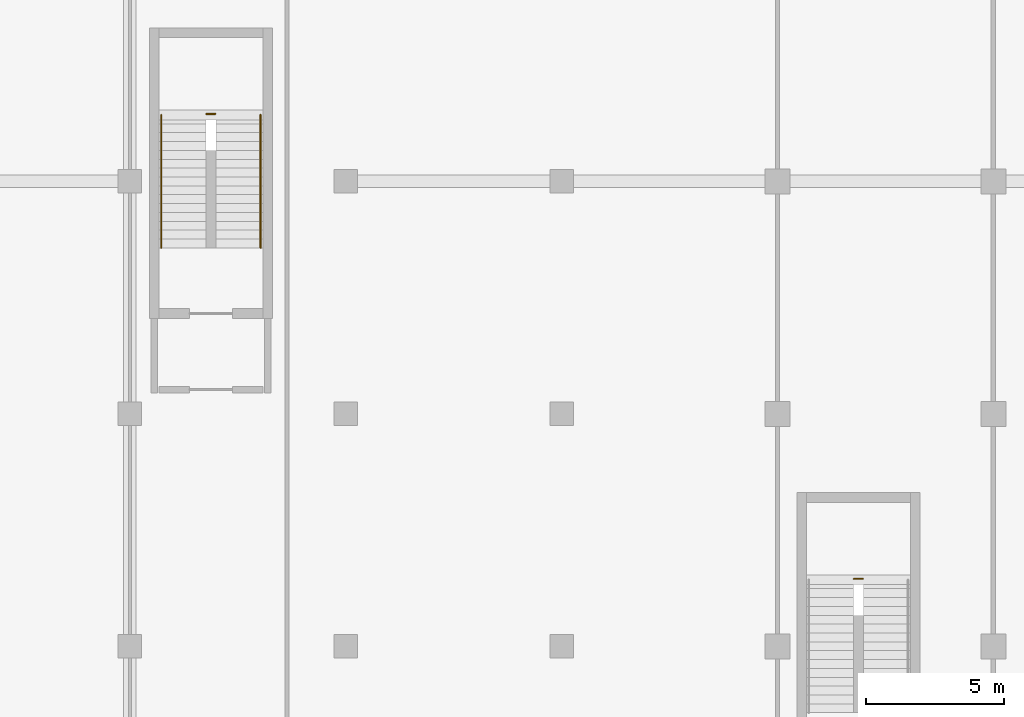
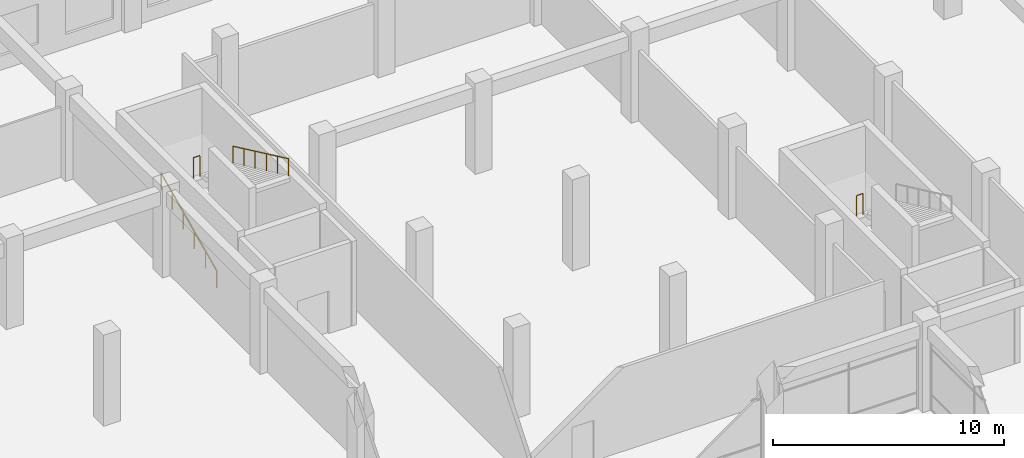
# One storey, part 69 of 74: 4 railings.
"""IFC4 building model written with IfcOpenShell, lengths in metres."""

from ifc_helpers import new_model, si_unit, direction, frame, origin, origin_2d, place, context, subcontext, project, spatial, circle, extrude, material, type_object, element, save


model = new_model("IFC4")

# Units and contexts
model_context = context("Model", 3, precision=1e-05, world=origin(), true_north=direction((0.0, 1.0)))
body_context = subcontext(model_context, "Body", "Model", "MODEL_VIEW")
ifc_project = project(units=[si_unit("LENGTHUNIT", "METRE"), si_unit("AREAUNIT", "SQUARE_METRE"), si_unit("VOLUMEUNIT", "CUBIC_METRE"), si_unit("PLANEANGLEUNIT", "RADIAN"), si_unit("MASSUNIT", "GRAM", prefix="KILO"), si_unit("THERMODYNAMICTEMPERATUREUNIT", "KELVIN"), si_unit("POWERUNIT", "WATT")], contexts=[model_context])

# Site, building, storey
site_placement = place(None, origin())
site = spatial("IfcSite", under=ifc_project, at=site_placement, CompositionType="ELEMENT")
building_placement = place(site_placement, origin())
building = spatial("IfcBuilding", under=site, at=building_placement, Name="Srebrne Nadtorze General Hospital", CompositionType="ELEMENT")
storey_placement = place(building_placement, origin())
storey = spatial("IfcBuildingStorey", under=building, at=storey_placement, Name="L00", CompositionType="ELEMENT", Elevation=0.0)

# Railings
ifc_material_1 = material(Name="Stainless Steel 316", Category="steel")
railing_type_1 = type_object("IfcRailingType", Name="Stairwell safety guard 1120", PredefinedType="BALUSTRADE", material=ifc_material_1)
for number, where, name in (
    (1, (104.1650390625, 61.239990234375, 2.39990234375), "Half landing well guard ST-03-L00"),
    (2, (80.764892578125, 78.0400390625, 2.39990234375), "Half landing well guard ST-07-L00"),
):
    element("IfcRailing", number, at=place(storey_placement, frame(where)), inside=storey, type_object=railing_type_1, Name=name, PredefinedType="BALUSTRADE", context=body_context, shape_type="SweptSolid", body=[
        extrude(circle(Radius=0.02392578125, at=origin_2d()), frame((0.0, 0.0, 1.09619140625), z_axis=(1.0, 0.0, 0.0), x_axis=(0.0, 1.0, 0.0)), (0.0, 0.0, 1.0), 0.320068359375),
        extrude(circle(Radius=0.02099609375, at=origin_2d()), origin(), (0.0, 0.0, 1.0), 1.072021484375),
        extrude(circle(Radius=0.02099609375, at=origin_2d()), frame((0.320068359375, 0.0, 0.0)), (0.0, 0.0, 1.0), 1.072021484375),
    ])
ifc_material_2 = material(Name="Stainless Steel 316", Category="steel")
railing_type_2 = type_object("IfcRailingType", Name="Tubular stainless handrail 920", PredefinedType="HANDRAIL", material=ifc_material_2)
railing_1_placement = place(storey_placement, frame((79.1298828125, 73.199951171875, 0.14990234375)))
element("IfcRailing", 3, at=railing_1_placement, inside=storey, type_object=railing_type_2, Name="Stair flight handrail ST-07-L00 F1", PredefinedType="HANDRAIL", context=body_context, shape_type="SweptSolid", body=[
    extrude(circle(Radius=0.02392578125, at=origin_2d()), frame((0.0, 0.0, 0.89599609375), z_axis=(0.0, 0.90546059521, 0.424430336476), x_axis=(-1.0, 0.0, 0.0)), (0.0, 0.0, 1.0), 5.30126953125),
    extrude(circle(Radius=0.02099609375, at=origin_2d()), origin(), (0.0, 0.0, 1.0), 0.871826171875),
    extrude(circle(Radius=0.02099609375, at=origin_2d()), frame((0.0, 0.9599609375, 0.449951171875)), (0.0, 0.0, 1.0), 0.871826171875),
    extrude(circle(Radius=0.02099609375, at=origin_2d()), frame((0.0, 1.919921875, 0.89990234375)), (0.0, 0.0, 1.0), 0.871826171875),
    extrude(circle(Radius=0.02099609375, at=origin_2d()), frame((0.0, 2.880126953125, 1.35009765625)), (0.0, 0.0, 1.0), 0.871826171875),
    extrude(circle(Radius=0.02099609375, at=origin_2d()), frame((0.0, 3.840087890625, 1.800048828125)), (0.0, 0.0, 1.0), 0.871826171875),
    extrude(circle(Radius=0.02099609375, at=origin_2d()), frame((0.0, 4.800048828125, 2.25)), (0.0, 0.0, 1.0), 0.871826171875),
])
railing_2_placement = place(storey_placement, frame((82.719970703125, 78.0, 2.550048828125)))
element("IfcRailing", 4, at=railing_2_placement, inside=storey, type_object=railing_type_2, Name="Stair flight handrail ST-07-L00 F2", PredefinedType="HANDRAIL", context=body_context, shape_type="SweptSolid", body=[
    extrude(circle(Radius=0.02392578125, at=origin_2d()), frame((0.0, 0.0, 0.89599609375), z_axis=(0.0, -0.90546059521, 0.424430336476), x_axis=(1.0, 0.0, 0.0)), (0.0, 0.0, 1.0), 5.30126953125),
    extrude(circle(Radius=0.02099609375, at=origin_2d()), origin(), (0.0, 0.0, 1.0), 0.871826171875),
    extrude(circle(Radius=0.02099609375, at=origin_2d()), frame((0.0, -0.9599609375, 0.449951171875)), (0.0, 0.0, 1.0), 0.871826171875),
    extrude(circle(Radius=0.02099609375, at=origin_2d()), frame((0.0, -1.919921875, 0.89990234375)), (0.0, 0.0, 1.0), 0.871826171875),
    extrude(circle(Radius=0.02099609375, at=origin_2d()), frame((0.0, -2.880126953125, 1.35009765625)), (0.0, 0.0, 1.0), 0.871826171875),
    extrude(circle(Radius=0.02099609375, at=origin_2d()), frame((0.0, -3.840087890625, 1.800048828125)), (0.0, 0.0, 1.0), 0.871826171875),
    extrude(circle(Radius=0.02099609375, at=origin_2d()), frame((0.0, -4.800048828125, 2.25)), (0.0, 0.0, 1.0), 0.871826171875),
])

save(model, "model.ifc")
